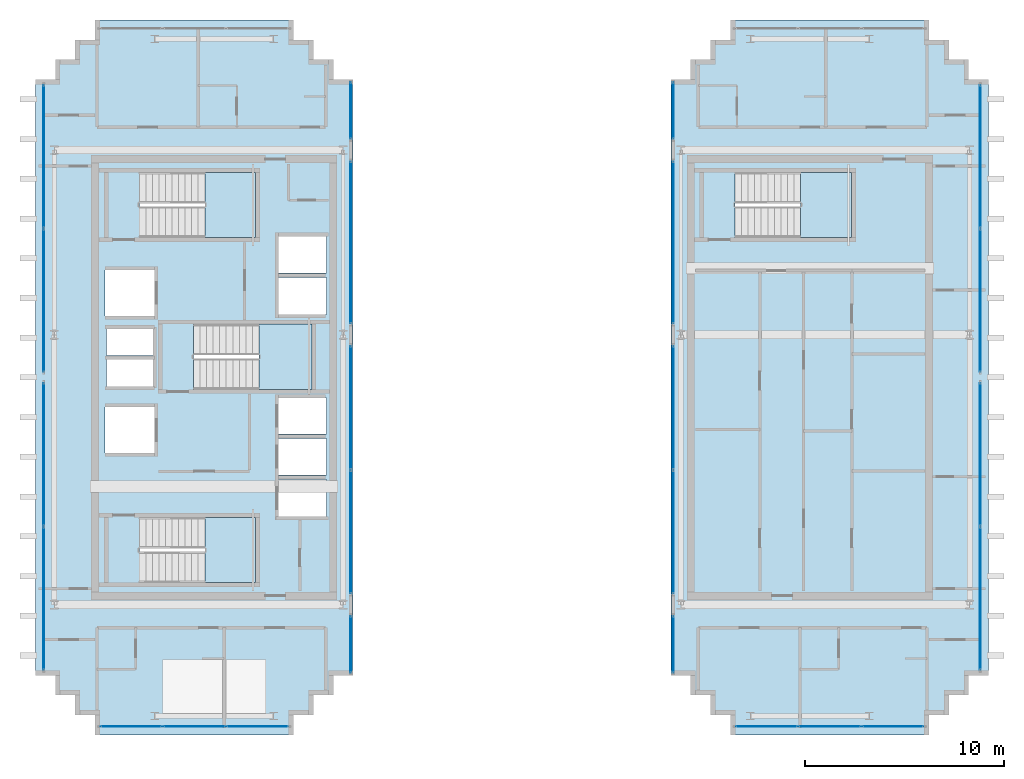
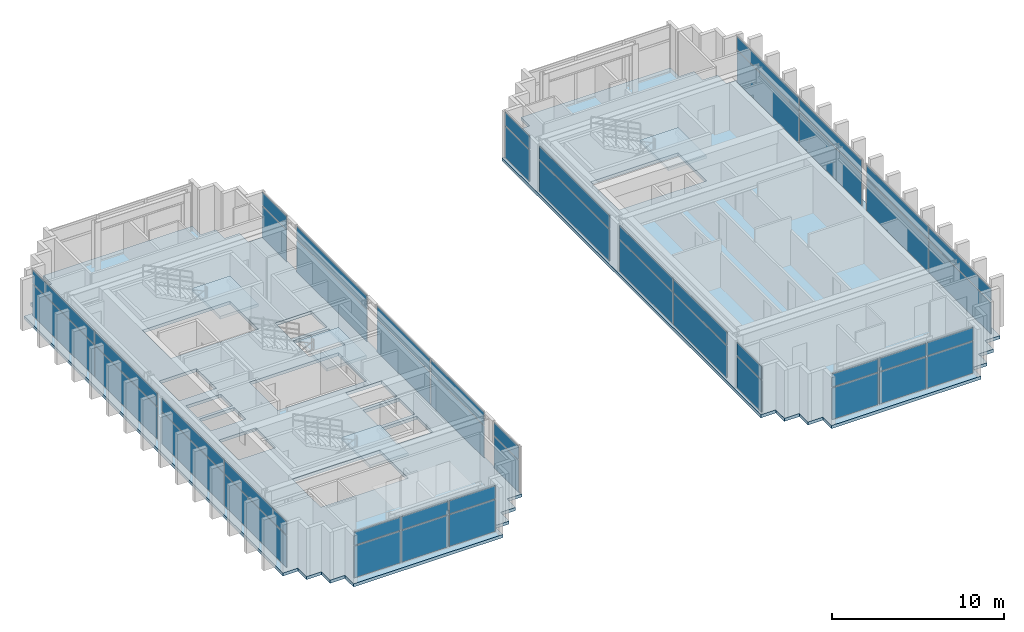
# One storey, part 18 of 25: 48 plates, 6 slabs, 18 elements without a shape of their own.
"""IFC4 building model written with IfcOpenShell, lengths in metres."""

import ifcopenshell
import ifcopenshell.guid

model = None  # the IFC model being written
_history = None  # IfcOwnerHistory: only IFC2X3 demands one
_inside = {}  # id of a spatial element -> (the spatial element, [elements in it])
_under = {}  # id of a project, library or spatial element -> (it, [spatial elements below it])
_declared = {}  # id of a project -> (the project, [libraries it declares])
_typed = {}  # id of a type object -> (the type object, [elements of that type])
_made_of = {}  # id of a material, layer set ... -> (it, [elements and type objects made of it])


def new_model(schema):
    """Start an empty IFC model of exactly this schema.

    Asked for "IFC4X3", IfcOpenShell would pick the latest addendum, in which some entities
    have other attributes; the version numbers below select the first issue.
    IFC2X3 requires an IfcOwnerHistory on every rooted entity: one is made here for all.
    """
    global model, _history
    if schema == "IFC4X3":
        model = ifcopenshell.file(schema_version=(4, 3, 0, 0))
    else:
        model = ifcopenshell.file(schema=schema)
    _inside.clear()
    _under.clear()
    _declared.clear()
    _typed.clear()
    _made_of.clear()
    _history = None
    if model.schema == "IFC2X3":
        org = make("IfcOrganization", Name="unknown")
        user = make(
            "IfcPersonAndOrganization",
            ThePerson=make("IfcPerson", FamilyName="unknown"),
            TheOrganization=org,
        )
        app = make(
            "IfcApplication",
            ApplicationDeveloper=org,
            Version="unknown",
            ApplicationFullName="unknown",
            ApplicationIdentifier="unknown",
        )
        _history = make(
            "IfcOwnerHistory",
            OwningUser=user,
            OwningApplication=app,
            ChangeAction="ADDED",
            CreationDate=0,
        )
    return model


def make(cls, **values):
    """One entity of the class cls with the attributes given. An attribute that is None is left unset."""
    return model.create_entity(
        cls, **{name: value for name, value in values.items() if value is not None}
    )


def rooted(cls, **values):
    """An entity with a GlobalId (a new one), such as an element, a storey or a relation."""
    return make(cls, GlobalId=ifcopenshell.guid.new(), OwnerHistory=_history, **values)


def si_unit(unit_type, name, prefix=None):
    """IfcSIUnit, for example si_unit("LENGTHUNIT", "METRE", prefix="MILLI")."""
    return make("IfcSIUnit", UnitType=unit_type, Prefix=prefix, Name=name)


def assignment(units):
    """IfcUnitAssignment: the units of a project."""
    return None if units is None else make("IfcUnitAssignment", Units=units)


def point(xyz):
    """IfcCartesianPoint."""
    return None if xyz is None else make("IfcCartesianPoint", Coordinates=xyz)


def direction(xyz):
    """IfcDirection."""
    return None if xyz is None else make("IfcDirection", DirectionRatios=xyz)


def frame(location, z_axis=None, x_axis=None):
    """IfcAxis2Placement3D, a coordinate frame: its origin and axes. An axis left out is left unset."""
    return make(
        "IfcAxis2Placement3D",
        Location=point(location),
        Axis=direction(z_axis),
        RefDirection=direction(x_axis),
    )


def frame_2d(location, x_axis=None):
    """IfcAxis2Placement2D, a coordinate frame in the plane: its origin and x axis."""
    return make(
        "IfcAxis2Placement2D", Location=point(location), RefDirection=direction(x_axis)
    )


def origin():
    """The frame at (0, 0, 0) with its axes left unset."""
    return frame((0.0, 0.0, 0.0))


def origin_2d():
    """The frame at (0, 0) in the plane with its x axis left unset."""
    return frame_2d((0.0, 0.0))


def place(relative_to, where):
    """IfcLocalPlacement: puts the frame where relative to a parent placement (None: the world)."""
    return make(
        "IfcLocalPlacement", PlacementRelTo=relative_to, RelativePlacement=where
    )


def context(
    kind, dimensions, precision=None, world=None, true_north=None, identifier=None
):
    """IfcGeometricRepresentationContext, for example the 3D "Model" context."""
    return make(
        "IfcGeometricRepresentationContext",
        ContextIdentifier=identifier,
        ContextType=kind,
        CoordinateSpaceDimension=dimensions,
        Precision=precision,
        WorldCoordinateSystem=world,
        TrueNorth=true_north,
    )


def subcontext(parent, identifier, kind, view, scale=None):
    """IfcGeometricRepresentationSubContext, for example "Body" below "Model"."""
    return make(
        "IfcGeometricRepresentationSubContext",
        ContextIdentifier=identifier,
        ContextType=kind,
        ParentContext=parent,
        TargetScale=scale,
        TargetView=view,
    )


def project(units=None, contexts=None):
    """IfcProject with its units and contexts."""
    return rooted(
        "IfcProject",
        Name="project",
        RepresentationContexts=contexts,
        UnitsInContext=assignment(units),
    )


def spatial(cls, under=None, at=None, **own):
    """A site, building, storey or space (cls), placed at a placement, below another one or the project."""
    s = rooted(cls, ObjectPlacement=at, **own)
    if under is not None:
        _under.setdefault(under.id(), (under, []))[1].append(s)
    return s


def polyline(points):
    """IfcPolyline through the points."""
    return make("IfcPolyline", Points=[point(p) for p in points])


def profile(cls, at=None, kind="AREA", **sizes):
    """A parametric profile (cls). Its sizes go by their IFC names, for example OverallWidth=200.0."""
    return make(cls, ProfileType=kind, Position=at, **sizes)


def rectangle(**sizes):
    """IfcRectangleProfileDef."""
    return profile("IfcRectangleProfileDef", **sizes)


def outline(outer, holes=None, kind="AREA"):
    """IfcArbitraryClosedProfileDef: a profile drawn as a closed curve; with holes, ...WithVoids."""
    if holes is None:
        return make("IfcArbitraryClosedProfileDef", ProfileType=kind, OuterCurve=outer)
    return make(
        "IfcArbitraryProfileDefWithVoids",
        ProfileType=kind,
        OuterCurve=outer,
        InnerCurves=holes,
    )


def extrude(swept, where, along, depth):
    """IfcExtrudedAreaSolid: the profile swept, set in the frame where, extruded along a direction by depth."""
    return make(
        "IfcExtrudedAreaSolid",
        SweptArea=swept,
        Position=where,
        ExtrudedDirection=direction(along),
        Depth=depth,
    )


def shape(context_of_items, identifier, shape_type, items):
    """IfcShapeRepresentation: the items that make up one representation, for example the "Body"."""
    return make(
        "IfcShapeRepresentation",
        ContextOfItems=context_of_items,
        RepresentationIdentifier=identifier,
        RepresentationType=shape_type,
        Items=items,
    )


def source(mapping_origin, context_of_items, identifier, shape_type, items):
    """IfcRepresentationMap: a shape defined once, which mapped items show again and again."""
    return make(
        "IfcRepresentationMap",
        MappingOrigin=mapping_origin,
        MappedRepresentation=shape(context_of_items, identifier, shape_type, items),
    )


def transform(
    local_origin,
    x_axis=None,
    y_axis=None,
    z_axis=None,
    scale=None,
    scale2=None,
    scale3=None,
    uniform=True,
):
    """IfcCartesianTransformationOperator3D, or its non-uniform kind. x_axis, y_axis, z_axis: its Axis1, 2, 3."""
    if uniform:
        return make(
            "IfcCartesianTransformationOperator3D",
            Axis1=direction(x_axis),
            Axis2=direction(y_axis),
            LocalOrigin=point(local_origin),
            Scale=scale,
            Axis3=direction(z_axis),
        )
    return make(
        "IfcCartesianTransformationOperator3DnonUniform",
        Axis1=direction(x_axis),
        Axis2=direction(y_axis),
        LocalOrigin=point(local_origin),
        Scale=scale,
        Axis3=direction(z_axis),
        Scale2=scale2,
        Scale3=scale3,
    )


def mapped(mapping_source, mapping_target):
    """IfcMappedItem: shows the shape of a source again, moved by a transform."""
    return make(
        "IfcMappedItem", MappingSource=mapping_source, MappingTarget=mapping_target
    )


def material(Name=None, Category=None):
    """IfcMaterial."""
    return make("IfcMaterial", Name=Name, Category=Category)


def layer(
    of_material, thickness, ventilated=None, Name=None, Category=None, Priority=None
):
    """IfcMaterialLayer: one layer of a wall or slab, of a material (None: an air gap)."""
    return make(
        "IfcMaterialLayer",
        Material=of_material,
        LayerThickness=thickness,
        IsVentilated=ventilated,
        Name=Name,
        Category=Category,
        Priority=Priority,
    )


def layer_set(layers, Name=None):
    """IfcMaterialLayerSet."""
    return make("IfcMaterialLayerSet", MaterialLayers=layers, LayerSetName=Name)


def made_of(thing, what):
    """Note that an element or type object is made of a material, layer set ...; save() writes the relation."""
    if what is not None:
        _made_of.setdefault(what.id(), (what, []))[1].append(thing)
    return thing


def type_object(cls, material=None, **own):
    """A type object (cls), such as IfcWallType, which elements share."""
    return made_of(rooted(cls, **own), material)


def element(
    cls,
    number,
    at=None,
    inside=None,
    cuts=None,
    type_object=None,
    material=None,
    context=None,
    identifier="Body",
    shape_type=None,
    held_by="IfcProductDefinitionShape",
    body=None,
    shapes=None,
    **own,
):
    """One element of the class cls, such as IfcWall. Its Tag is "e" and its number.

    at: its placement. inside: the storey or other place that contains it. cuts: it is an
    opening in that element (IfcRelVoidsElement). A single representation is given by context,
    identifier, shape_type and body (its items); several are given by shapes. held_by: the class
    of the entity that holds the representations. save() writes the other relations.
    """
    e = rooted(cls, Tag="e%d" % number, ObjectPlacement=at, **own)
    if body is not None:
        shapes = [shape(context, identifier, shape_type, body)]
    if shapes is not None:
        e.Representation = make(held_by, Representations=shapes)
    if inside is not None:
        _inside.setdefault(inside.id(), (inside, []))[1].append(e)
    if cuts is not None:
        rooted(
            "IfcRelVoidsElement", RelatingBuildingElement=cuts, RelatedOpeningElement=e
        )
    if type_object is not None:
        _typed.setdefault(type_object.id(), (type_object, []))[1].append(e)
    return made_of(e, material)


def aggregate(whole, parts):
    """IfcRelAggregates: a whole, such as a stair, and the parts it consists of."""
    return rooted("IfcRelAggregates", RelatingObject=whole, RelatedObjects=parts)


def save(model, path):
    """Write the relations noted so far, then the file.

    IfcRelAggregates (storeys below a building ...), IfcRelContainedInSpatialStructure (elements
    in a storey), IfcRelDefinesByType, IfcRelAssociatesMaterial and IfcRelDeclares: one each for
    every whole, place, type object, material and project.
    """
    for whole, parts in _under.values():
        aggregate(whole, parts)
    for where, things in _inside.values():
        rooted(
            "IfcRelContainedInSpatialStructure",
            RelatedElements=things,
            RelatingStructure=where,
        )
    for kind, things in _typed.values():
        rooted("IfcRelDefinesByType", RelatedObjects=things, RelatingType=kind)
    for what, things in _made_of.values():
        rooted("IfcRelAssociatesMaterial", RelatedObjects=things, RelatingMaterial=what)
    for by, libraries in _declared.values():
        rooted("IfcRelDeclares", RelatingContext=by, RelatedDefinitions=libraries)
    model.write(path)


model = new_model("IFC4")

# Units and contexts
model_context = context("Model", 3, precision=1e-05, world=origin(), true_north=direction((0.0, 1.0)))
body_context = subcontext(model_context, "Body", "Model", "MODEL_VIEW")
ifc_project = project(units=[si_unit("LENGTHUNIT", "METRE"), si_unit("AREAUNIT", "SQUARE_METRE"), si_unit("VOLUMEUNIT", "CUBIC_METRE"), si_unit("PLANEANGLEUNIT", "RADIAN"), si_unit("MASSUNIT", "GRAM", prefix="KILO")], contexts=[model_context])

# Site, building, storey
site_placement = place(None, origin())
site = spatial("IfcSite", under=ifc_project, at=site_placement, CompositionType="ELEMENT")
building_placement = place(site_placement, origin())
building = spatial("IfcBuilding", under=site, at=building_placement, Name="Ocotamira Hotel", CompositionType="ELEMENT")
storey_placement = place(building_placement, frame((0.0, 0.0, 261.60009765625)))
storey = spatial("IfcBuildingStorey", under=building, at=storey_placement, Name="L66", CompositionType="ELEMENT", Elevation=261.60009765625)

# Stair, slab
ifc_material_1 = material(Name="Concrete C40/50", Category="concrete")
stair_type = type_object("IfcStairType", Name="ST-CORE-1560", PredefinedType="HALF_TURN_STAIR", material=ifc_material_1)
stair_1_placement = place(storey_placement, origin())
stair_1 = element("IfcStair", 1, at=stair_1_placement, inside=storey, type_object=stair_type, Name="L66 Exit Stair ST-1", PredefinedType="HALF_TURN_STAIR")
ifc_layer_1 = layer(ifc_material_1, 0.199951171875)
ifc_layer_set_1 = layer_set([ifc_layer_1], Name="Concrete C40/50")
slab_type_1 = type_object("IfcSlabType", Name="SLB-LAND-200", PredefinedType="LANDING", material=ifc_layer_set_1)
slab_1_placement = place(storey_placement, frame((0.0, 0.0, 1.599853515625)))
slab_1 = element("IfcSlab", 2, at=slab_1_placement, type_object=slab_type_1, Name="ST-1 landing 1", PredefinedType="LANDING", context=body_context, shape_type="SweptSolid", body=[
    extrude(outline(polyline([(16.530029296875, 15.669921875), (19.090087890625, 15.669921875), (19.090087890625, 18.949951171875), (16.530029296875, 18.949951171875), (16.530029296875, 15.669921875)])), origin(), (0.0, 0.0, 1.0), 0.199951171875),
])
aggregate(stair_1, [slab_1])

stair_2_placement = place(storey_placement, origin())
stair_2 = element("IfcStair", 3, at=stair_2_placement, inside=storey, type_object=stair_type, Name="L66 Exit Stair ST-2", PredefinedType="HALF_TURN_STAIR")
slab_2_placement = place(storey_placement, frame((0.0, 0.0, 1.599853515625)))
slab_2 = element("IfcSlab", 4, at=slab_2_placement, type_object=slab_type_1, Name="ST-2 landing 1", PredefinedType="LANDING", context=body_context, shape_type="SweptSolid", body=[
    extrude(outline(polyline([(16.530029296875, 33.050048828125), (19.090087890625, 33.050048828125), (19.090087890625, 36.330078125), (16.530029296875, 36.330078125), (16.530029296875, 33.050048828125)])), origin(), (0.0, 0.0, 1.0), 0.199951171875),
])
aggregate(stair_2, [slab_2])

stair_3_placement = place(storey_placement, origin())
stair_3 = element("IfcStair", 5, at=stair_3_placement, inside=storey, type_object=stair_type, Name="L66 Exit Stair ST-3", PredefinedType="HALF_TURN_STAIR")
slab_3_placement = place(storey_placement, frame((0.0, 0.0, 1.599853515625)))
slab_3 = element("IfcSlab", 6, at=slab_3_placement, type_object=slab_type_1, Name="ST-3 landing 1", PredefinedType="LANDING", context=body_context, shape_type="SweptSolid", body=[
    extrude(outline(polyline([(19.260009765625, 25.39990234375), (21.919921875, 25.39990234375), (21.919921875, 28.679931640625), (19.260009765625, 28.679931640625), (19.260009765625, 25.39990234375)])), origin(), (0.0, 0.0, 1.0), 0.199951171875),
])
aggregate(stair_3, [slab_3])

stair_4_placement = place(storey_placement, origin())
stair_4 = element("IfcStair", 7, at=stair_4_placement, inside=storey, type_object=stair_type, Name="L66 Exit Stair ST-4", PredefinedType="HALF_TURN_STAIR")
slab_4_placement = place(storey_placement, frame((0.0, 0.0, 1.599853515625)))
slab_4 = element("IfcSlab", 8, at=slab_4_placement, type_object=slab_type_1, Name="ST-4 landing 1", PredefinedType="LANDING", context=body_context, shape_type="SweptSolid", body=[
    extrude(outline(polyline([(46.530029296875, 33.050048828125), (49.090087890625, 33.050048828125), (49.090087890625, 36.330078125), (46.530029296875, 36.330078125), (46.530029296875, 33.050048828125)])), origin(), (0.0, 0.0, 1.0), 0.199951171875),
])
aggregate(stair_4, [slab_4])

# Slabs
ifc_layer_2 = layer(ifc_material_1, 0.219970703125)
ifc_layer_set_2 = layer_set([ifc_layer_2], Name="Concrete C40/50")
slab_type_2 = type_object("IfcSlabType", Name="SLB-UPP-220", PredefinedType="FLOOR", material=ifc_layer_set_2)
slab_5_placement = place(storey_placement, frame((0.0, 0.0, -0.22021484375)))
element("IfcSlab", 9, at=slab_5_placement, inside=storey, type_object=slab_type_2, Name="L66 Structural Floor Slab-P1", PredefinedType="FLOOR", context=body_context, shape_type="SweptSolid", body=[
    extrude(outline(polyline([(11.0, 8.0), (21.0, 8.0), (21.0, 9.0), (22.0, 9.0), (22.0, 10.0), (23.0, 10.0), (23.0, 11.0), (24.0, 11.0), (24.0, 41.0), (23.0, 41.0), (23.0, 42.0), (22.0, 42.0), (22.0, 43.0), (21.0, 43.0), (21.0, 44.0), (11.0, 44.0), (11.0, 43.0), (10.0, 43.0), (10.0, 42.0), (9.0, 42.0), (9.0, 41.0), (8.0, 41.0), (8.0, 11.0), (9.0, 11.0), (9.0, 10.0), (10.0, 10.0), (10.0, 9.0), (11.0, 9.0), (11.0, 8.0)]), holes=[polyline([(13.22998046875, 15.669921875), (19.090087890625, 15.669921875), (19.090087890625, 18.949951171875), (13.22998046875, 18.949951171875), (13.22998046875, 15.669921875)]), polyline([(13.22998046875, 33.050048828125), (19.090087890625, 33.050048828125), (19.090087890625, 36.330078125), (13.22998046875, 36.330078125), (13.22998046875, 33.050048828125)]), polyline([(15.9599609375, 25.39990234375), (21.919921875, 25.39990234375), (21.919921875, 28.679931640625), (15.9599609375, 28.679931640625), (15.9599609375, 25.39990234375)]), polyline([(20.25, 19.0), (22.659912109375, 19.0), (22.659912109375, 20.85009765625), (20.25, 20.85009765625), (20.25, 19.0)]), polyline([(20.25, 21.080078125), (22.659912109375, 21.080078125), (22.659912109375, 22.929931640625), (20.25, 22.929931640625), (20.25, 21.080078125)]), polyline([(20.25, 23.159912109375), (22.659912109375, 23.159912109375), (22.659912109375, 24.9599609375), (20.25, 24.9599609375), (20.25, 23.159912109375)]), polyline([(20.25, 29.179931640625), (22.659912109375, 29.179931640625), (22.659912109375, 31.030029296875), (20.25, 31.030029296875), (20.25, 29.179931640625)]), polyline([(20.25, 31.260009765625), (22.659912109375, 31.260009765625), (22.659912109375, 33.110107421875), (20.25, 33.110107421875), (20.25, 31.260009765625)]), polyline([(11.5, 22.199951171875), (14.0, 22.199951171875), (14.0, 24.5), (11.5, 24.5), (11.5, 22.199951171875)]), polyline([(11.5, 29.10009765625), (14.0, 29.10009765625), (14.0, 31.39990234375), (11.5, 31.39990234375), (11.5, 29.10009765625)]), polyline([(11.580078125, 25.550048828125), (13.919921875, 25.550048828125), (13.919921875, 26.89990234375), (11.580078125, 26.89990234375), (11.580078125, 25.550048828125)]), polyline([(11.580078125, 27.10009765625), (13.919921875, 27.10009765625), (13.919921875, 28.449951171875), (11.580078125, 28.449951171875), (11.580078125, 27.10009765625)])]), origin(), (0.0, 0.0, 1.0), 0.22021484375),
])
slab_6_placement = place(storey_placement, frame((0.0, 0.0, -0.22021484375)))
element("IfcSlab", 10, at=slab_6_placement, inside=storey, type_object=slab_type_2, Name="L66 Structural Floor Slab-P2", PredefinedType="FLOOR", context=body_context, shape_type="SweptSolid", body=[
    extrude(outline(polyline([(43.0, 8.0), (53.0, 8.0), (53.0, 9.0), (54.0, 9.0), (54.0, 10.0), (55.0, 10.0), (55.0, 11.0), (56.0, 11.0), (56.0, 41.0), (55.0, 41.0), (55.0, 42.0), (54.0, 42.0), (54.0, 43.0), (53.0, 43.0), (53.0, 44.0), (43.0, 44.0), (43.0, 43.0), (42.0, 43.0), (42.0, 42.0), (41.0, 42.0), (41.0, 41.0), (40.0, 41.0), (40.0, 11.0), (41.0, 11.0), (41.0, 10.0), (42.0, 10.0), (42.0, 9.0), (43.0, 9.0), (43.0, 8.0)]), holes=[polyline([(43.22998046875, 33.050048828125), (49.090087890625, 33.050048828125), (49.090087890625, 36.330078125), (43.22998046875, 36.330078125), (43.22998046875, 33.050048828125)])]), origin(), (0.0, 0.0, 1.0), 0.22021484375),
])

# Curtain wall, plates
ifc_material_2 = material(Name="Anodised pale-metal aluminium and solar glass", Category="aluminium")
ifc_layer_3 = layer(ifc_material_2, 0.2099609375)
ifc_layer_set_3 = layer_set([ifc_layer_3], Name="Anodised pale-metal aluminium and solar glass")
curtain_wall_type = type_object("IfcCurtainWallType", Name="CW-SYS7-PEAK", PredefinedType="NOTDEFINED", material=ifc_layer_set_3)
curtain_wall_1_placement = place(storey_placement, origin())
curtain_wall_1 = element("IfcCurtainWall", 11, at=curtain_wall_1_placement, inside=storey, type_object=curtain_wall_type, Name="L66 Curtain Wall CW-7 CW-L66-WS", PredefinedType="NOTDEFINED")
ifc_material_3 = material(Name="Double-silver low-E insulated solar glass", Category="glass")
ifc_layer_4 = layer(ifc_material_3, 0.031982421875)
ifc_layer_set_4 = layer_set([ifc_layer_4], Name="Double-silver low-E insulated solar glass")
plate_type = type_object("IfcPlateType", Name="CWP-VISION-32", PredefinedType="CURTAIN_PANEL", material=ifc_layer_set_4)
shared_shape_1 = source(origin(), body_context, "Body", "SweptSolid", [
    extrude(rectangle(XDim=3.080078125, YDim=0.031982421875, at=origin_2d()), origin(), (0.0, 0.0, 1.0), 2.237548828125),
])
plate_1_placement = place(storey_placement, frame((12.820068359375, 8.419921875, 0.07470703125), z_axis=(0.0, 0.0, 1.0), x_axis=(1.0, 0.0, 0.0)))
plate_1 = element("IfcPlate", 12, at=plate_1_placement, type_object=plate_type, Name="CW-7 panel 1.1", PredefinedType="CURTAIN_PANEL", context=body_context, shape_type="MappedRepresentation", body=[
    mapped(shared_shape_1, transform((0.0, 0.0, 0.0), scale=1.0)),
])
plate_2_placement = place(storey_placement, frame((19.179931640625, 8.419921875, 0.07470703125), z_axis=(0.0, 0.0, 1.0), x_axis=(1.0, 0.0, 0.0)))
plate_2 = element("IfcPlate", 13, at=plate_2_placement, type_object=plate_type, Name="CW-7 panel 3.1", PredefinedType="CURTAIN_PANEL", context=body_context, shape_type="MappedRepresentation", body=[
    mapped(shared_shape_1, transform((0.0, 0.0, 0.0), scale=1.0)),
])

curtain_wall_2_placement = place(storey_placement, origin())
curtain_wall_2 = element("IfcCurtainWall", 14, at=curtain_wall_2_placement, inside=storey, type_object=curtain_wall_type, Name="L66 Curtain Wall CW-7 CW-L66-ES", PredefinedType="NOTDEFINED")
plate_3_placement = place(storey_placement, frame((44.820068359375, 8.419921875, 0.07470703125), z_axis=(0.0, 0.0, 1.0), x_axis=(1.0, 0.0, 0.0)))
plate_3 = element("IfcPlate", 15, at=plate_3_placement, type_object=plate_type, Name="CW-7 panel 1.1", PredefinedType="CURTAIN_PANEL", context=body_context, shape_type="MappedRepresentation", body=[
    mapped(shared_shape_1, transform((0.0, 0.0, 0.0), scale=1.0)),
])
plate_4_placement = place(storey_placement, frame((51.179931640625, 8.419921875, 0.07470703125), z_axis=(0.0, 0.0, 1.0), x_axis=(1.0, 0.0, 0.0)))
plate_4 = element("IfcPlate", 16, at=plate_4_placement, type_object=plate_type, Name="CW-7 panel 3.1", PredefinedType="CURTAIN_PANEL", context=body_context, shape_type="MappedRepresentation", body=[
    mapped(shared_shape_1, transform((0.0, 0.0, 0.0), scale=1.0)),
])

# Plate
shared_shape_2 = source(origin(), body_context, "Body", "SweptSolid", [
    extrude(rectangle(XDim=3.080078125, YDim=0.031982421875, at=origin_2d()), origin(), (0.0, 0.0, 1.0), 0.91748046875),
])
plate_5_placement = place(storey_placement, frame((12.820068359375, 8.419921875, 2.387451171875), z_axis=(0.0, 0.0, 1.0), x_axis=(1.0, 0.0, 0.0)))
plate_5 = element("IfcPlate", 17, at=plate_5_placement, type_object=plate_type, Name="CW-7 panel 1.2", PredefinedType="CURTAIN_PANEL", context=body_context, shape_type="MappedRepresentation", body=[
    mapped(shared_shape_2, transform((0.0, 0.0, 0.0), scale=1.0)),
])

plate_6_placement = place(storey_placement, frame((19.179931640625, 8.419921875, 2.387451171875), z_axis=(0.0, 0.0, 1.0), x_axis=(1.0, 0.0, 0.0)))
plate_6 = element("IfcPlate", 18, at=plate_6_placement, type_object=plate_type, Name="CW-7 panel 3.2", PredefinedType="CURTAIN_PANEL", context=body_context, shape_type="MappedRepresentation", body=[
    mapped(shared_shape_2, transform((0.0, 0.0, 0.0), scale=1.0)),
])

plate_7_placement = place(storey_placement, frame((44.820068359375, 8.419921875, 2.387451171875), z_axis=(0.0, 0.0, 1.0), x_axis=(1.0, 0.0, 0.0)))
plate_7 = element("IfcPlate", 19, at=plate_7_placement, type_object=plate_type, Name="CW-7 panel 1.2", PredefinedType="CURTAIN_PANEL", context=body_context, shape_type="MappedRepresentation", body=[
    mapped(shared_shape_2, transform((0.0, 0.0, 0.0), scale=1.0)),
])

plate_8_placement = place(storey_placement, frame((51.179931640625, 8.419921875, 2.387451171875), z_axis=(0.0, 0.0, 1.0), x_axis=(1.0, 0.0, 0.0)))
plate_8 = element("IfcPlate", 20, at=plate_8_placement, type_object=plate_type, Name="CW-7 panel 3.2", PredefinedType="CURTAIN_PANEL", context=body_context, shape_type="MappedRepresentation", body=[
    mapped(shared_shape_2, transform((0.0, 0.0, 0.0), scale=1.0)),
])

shared_shape_3 = source(origin(), body_context, "Body", "SweptSolid", [
    extrude(rectangle(XDim=3.1201171875, YDim=0.031982421875, at=origin_2d()), origin(), (0.0, 0.0, 1.0), 2.237548828125),
])
plate_9_placement = place(storey_placement, frame((16.0, 8.419921875, 0.07470703125), z_axis=(0.0, 0.0, 1.0), x_axis=(1.0, 0.0, 0.0)))
plate_9 = element("IfcPlate", 21, at=plate_9_placement, type_object=plate_type, Name="CW-7 panel 2.1", PredefinedType="CURTAIN_PANEL", context=body_context, shape_type="MappedRepresentation", body=[
    mapped(shared_shape_3, transform((0.0, 0.0, 0.0), scale=1.0)),
])

plate_10_placement = place(storey_placement, frame((48.0, 8.419921875, 0.07470703125), z_axis=(0.0, 0.0, 1.0), x_axis=(1.0, 0.0, 0.0)))
plate_10 = element("IfcPlate", 22, at=plate_10_placement, type_object=plate_type, Name="CW-7 panel 2.1", PredefinedType="CURTAIN_PANEL", context=body_context, shape_type="MappedRepresentation", body=[
    mapped(shared_shape_3, transform((0.0, 0.0, 0.0), scale=1.0)),
])

shared_shape_4 = source(origin(), body_context, "Body", "SweptSolid", [
    extrude(rectangle(XDim=3.1201171875, YDim=0.031982421875, at=origin_2d()), origin(), (0.0, 0.0, 1.0), 0.91748046875),
])
plate_11_placement = place(storey_placement, frame((16.0, 8.419921875, 2.387451171875), z_axis=(0.0, 0.0, 1.0), x_axis=(1.0, 0.0, 0.0)))
plate_11 = element("IfcPlate", 23, at=plate_11_placement, type_object=plate_type, Name="CW-7 panel 2.2", PredefinedType="CURTAIN_PANEL", context=body_context, shape_type="MappedRepresentation", body=[
    mapped(shared_shape_4, transform((0.0, 0.0, 0.0), scale=1.0)),
])

aggregate(curtain_wall_1, [plate_1, plate_5, plate_9, plate_11, plate_2, plate_6])

plate_12_placement = place(storey_placement, frame((48.0, 8.419921875, 2.387451171875), z_axis=(0.0, 0.0, 1.0), x_axis=(1.0, 0.0, 0.0)))
plate_12 = element("IfcPlate", 24, at=plate_12_placement, type_object=plate_type, Name="CW-7 panel 2.2", PredefinedType="CURTAIN_PANEL", context=body_context, shape_type="MappedRepresentation", body=[
    mapped(shared_shape_4, transform((0.0, 0.0, 0.0), scale=1.0)),
])

aggregate(curtain_wall_2, [plate_3, plate_7, plate_10, plate_12, plate_4, plate_8])

# Curtain wall, plates
curtain_wall_3_placement = place(storey_placement, origin())
curtain_wall_3 = element("IfcCurtainWall", 25, at=curtain_wall_3_placement, inside=storey, type_object=curtain_wall_type, Name="L66 Curtain Wall CW-7 CW-L66-WO1", PredefinedType="NOTDEFINED")
shared_shape_5 = source(origin(), body_context, "Body", "SweptSolid", [
    extrude(rectangle(XDim=7.179931640625, YDim=0.031982421875, at=origin_2d()), origin(), (0.0, 0.0, 1.0), 2.237548828125),
])
plate_13_placement = place(storey_placement, frame((8.419921875, 14.8701171875, 0.07470703125), z_axis=(0.0, 0.0, 1.0), x_axis=(0.0, 1.0, 0.0)))
plate_13 = element("IfcPlate", 26, at=plate_13_placement, type_object=plate_type, Name="CW-7 panel 1.1", PredefinedType="CURTAIN_PANEL", context=body_context, shape_type="MappedRepresentation", body=[
    mapped(shared_shape_5, transform((0.0, 0.0, 0.0), scale=1.0)),
])
plate_14_placement = place(storey_placement, frame((8.419921875, 22.1298828125, 0.07470703125), z_axis=(0.0, 0.0, 1.0), x_axis=(0.0, 1.0, 0.0)))
plate_14 = element("IfcPlate", 27, at=plate_14_placement, type_object=plate_type, Name="CW-7 panel 2.1", PredefinedType="CURTAIN_PANEL", context=body_context, shape_type="MappedRepresentation", body=[
    mapped(shared_shape_5, transform((0.0, 0.0, 0.0), scale=1.0)),
])

curtain_wall_4_placement = place(storey_placement, origin())
curtain_wall_4 = element("IfcCurtainWall", 28, at=curtain_wall_4_placement, inside=storey, type_object=curtain_wall_type, Name="L66 Curtain Wall CW-7 CW-L66-WO2", PredefinedType="NOTDEFINED")
plate_15_placement = place(storey_placement, frame((8.419921875, 29.8701171875, 0.07470703125), z_axis=(0.0, 0.0, 1.0), x_axis=(0.0, 1.0, 0.0)))
plate_15 = element("IfcPlate", 29, at=plate_15_placement, type_object=plate_type, Name="CW-7 panel 1.1", PredefinedType="CURTAIN_PANEL", context=body_context, shape_type="MappedRepresentation", body=[
    mapped(shared_shape_5, transform((0.0, 0.0, 0.0), scale=1.0)),
])
plate_16_placement = place(storey_placement, frame((8.419921875, 37.1298828125, 0.07470703125), z_axis=(0.0, 0.0, 1.0), x_axis=(0.0, 1.0, 0.0)))
plate_16 = element("IfcPlate", 30, at=plate_16_placement, type_object=plate_type, Name="CW-7 panel 2.1", PredefinedType="CURTAIN_PANEL", context=body_context, shape_type="MappedRepresentation", body=[
    mapped(shared_shape_5, transform((0.0, 0.0, 0.0), scale=1.0)),
])

curtain_wall_5_placement = place(storey_placement, origin())
curtain_wall_5 = element("IfcCurtainWall", 31, at=curtain_wall_5_placement, inside=storey, type_object=curtain_wall_type, Name="L66 Curtain Wall CW-7 CW-L66-EO1", PredefinedType="NOTDEFINED")
plate_17_placement = place(storey_placement, frame((55.580078125, 14.8701171875, 0.07470703125), z_axis=(0.0, 0.0, 1.0), x_axis=(0.0, 1.0, 0.0)))
plate_17 = element("IfcPlate", 32, at=plate_17_placement, type_object=plate_type, Name="CW-7 panel 1.1", PredefinedType="CURTAIN_PANEL", context=body_context, shape_type="MappedRepresentation", body=[
    mapped(shared_shape_5, transform((0.0, 0.0, 0.0), scale=1.0)),
])
plate_18_placement = place(storey_placement, frame((55.580078125, 22.1298828125, 0.07470703125), z_axis=(0.0, 0.0, 1.0), x_axis=(0.0, 1.0, 0.0)))
plate_18 = element("IfcPlate", 33, at=plate_18_placement, type_object=plate_type, Name="CW-7 panel 2.1", PredefinedType="CURTAIN_PANEL", context=body_context, shape_type="MappedRepresentation", body=[
    mapped(shared_shape_5, transform((0.0, 0.0, 0.0), scale=1.0)),
])

curtain_wall_6_placement = place(storey_placement, origin())
curtain_wall_6 = element("IfcCurtainWall", 34, at=curtain_wall_6_placement, inside=storey, type_object=curtain_wall_type, Name="L66 Curtain Wall CW-7 CW-L66-EO2", PredefinedType="NOTDEFINED")
plate_19_placement = place(storey_placement, frame((55.580078125, 29.8701171875, 0.07470703125), z_axis=(0.0, 0.0, 1.0), x_axis=(0.0, 1.0, 0.0)))
plate_19 = element("IfcPlate", 35, at=plate_19_placement, type_object=plate_type, Name="CW-7 panel 1.1", PredefinedType="CURTAIN_PANEL", context=body_context, shape_type="MappedRepresentation", body=[
    mapped(shared_shape_5, transform((0.0, 0.0, 0.0), scale=1.0)),
])
plate_20_placement = place(storey_placement, frame((55.580078125, 37.1298828125, 0.07470703125), z_axis=(0.0, 0.0, 1.0), x_axis=(0.0, 1.0, 0.0)))
plate_20 = element("IfcPlate", 36, at=plate_20_placement, type_object=plate_type, Name="CW-7 panel 2.1", PredefinedType="CURTAIN_PANEL", context=body_context, shape_type="MappedRepresentation", body=[
    mapped(shared_shape_5, transform((0.0, 0.0, 0.0), scale=1.0)),
])

# Plate
shared_shape_6 = source(origin(), body_context, "Body", "SweptSolid", [
    extrude(rectangle(XDim=7.179931640625, YDim=0.031982421875, at=origin_2d()), origin(), (0.0, 0.0, 1.0), 0.91748046875),
])
plate_21_placement = place(storey_placement, frame((8.419921875, 14.8701171875, 2.387451171875), z_axis=(0.0, 0.0, 1.0), x_axis=(0.0, 1.0, 0.0)))
plate_21 = element("IfcPlate", 37, at=plate_21_placement, type_object=plate_type, Name="CW-7 panel 1.2", PredefinedType="CURTAIN_PANEL", context=body_context, shape_type="MappedRepresentation", body=[
    mapped(shared_shape_6, transform((0.0, 0.0, 0.0), scale=1.0)),
])

plate_22_placement = place(storey_placement, frame((8.419921875, 22.1298828125, 2.387451171875), z_axis=(0.0, 0.0, 1.0), x_axis=(0.0, 1.0, 0.0)))
plate_22 = element("IfcPlate", 38, at=plate_22_placement, type_object=plate_type, Name="CW-7 panel 2.2", PredefinedType="CURTAIN_PANEL", context=body_context, shape_type="MappedRepresentation", body=[
    mapped(shared_shape_6, transform((0.0, 0.0, 0.0), scale=1.0)),
])

aggregate(curtain_wall_3, [plate_13, plate_21, plate_14, plate_22])

plate_23_placement = place(storey_placement, frame((8.419921875, 29.8701171875, 2.387451171875), z_axis=(0.0, 0.0, 1.0), x_axis=(0.0, 1.0, 0.0)))
plate_23 = element("IfcPlate", 39, at=plate_23_placement, type_object=plate_type, Name="CW-7 panel 1.2", PredefinedType="CURTAIN_PANEL", context=body_context, shape_type="MappedRepresentation", body=[
    mapped(shared_shape_6, transform((0.0, 0.0, 0.0), scale=1.0)),
])

plate_24_placement = place(storey_placement, frame((8.419921875, 37.1298828125, 2.387451171875), z_axis=(0.0, 0.0, 1.0), x_axis=(0.0, 1.0, 0.0)))
plate_24 = element("IfcPlate", 40, at=plate_24_placement, type_object=plate_type, Name="CW-7 panel 2.2", PredefinedType="CURTAIN_PANEL", context=body_context, shape_type="MappedRepresentation", body=[
    mapped(shared_shape_6, transform((0.0, 0.0, 0.0), scale=1.0)),
])

aggregate(curtain_wall_4, [plate_15, plate_23, plate_16, plate_24])

plate_25_placement = place(storey_placement, frame((55.580078125, 14.8701171875, 2.387451171875), z_axis=(0.0, 0.0, 1.0), x_axis=(0.0, 1.0, 0.0)))
plate_25 = element("IfcPlate", 41, at=plate_25_placement, type_object=plate_type, Name="CW-7 panel 1.2", PredefinedType="CURTAIN_PANEL", context=body_context, shape_type="MappedRepresentation", body=[
    mapped(shared_shape_6, transform((0.0, 0.0, 0.0), scale=1.0)),
])

plate_26_placement = place(storey_placement, frame((55.580078125, 22.1298828125, 2.387451171875), z_axis=(0.0, 0.0, 1.0), x_axis=(0.0, 1.0, 0.0)))
plate_26 = element("IfcPlate", 42, at=plate_26_placement, type_object=plate_type, Name="CW-7 panel 2.2", PredefinedType="CURTAIN_PANEL", context=body_context, shape_type="MappedRepresentation", body=[
    mapped(shared_shape_6, transform((0.0, 0.0, 0.0), scale=1.0)),
])

aggregate(curtain_wall_5, [plate_17, plate_25, plate_18, plate_26])

plate_27_placement = place(storey_placement, frame((55.580078125, 29.8701171875, 2.387451171875), z_axis=(0.0, 0.0, 1.0), x_axis=(0.0, 1.0, 0.0)))
plate_27 = element("IfcPlate", 43, at=plate_27_placement, type_object=plate_type, Name="CW-7 panel 1.2", PredefinedType="CURTAIN_PANEL", context=body_context, shape_type="MappedRepresentation", body=[
    mapped(shared_shape_6, transform((0.0, 0.0, 0.0), scale=1.0)),
])

plate_28_placement = place(storey_placement, frame((55.580078125, 37.1298828125, 2.387451171875), z_axis=(0.0, 0.0, 1.0), x_axis=(0.0, 1.0, 0.0)))
plate_28 = element("IfcPlate", 44, at=plate_28_placement, type_object=plate_type, Name="CW-7 panel 2.2", PredefinedType="CURTAIN_PANEL", context=body_context, shape_type="MappedRepresentation", body=[
    mapped(shared_shape_6, transform((0.0, 0.0, 0.0), scale=1.0)),
])

aggregate(curtain_wall_6, [plate_19, plate_27, plate_20, plate_28])

# Curtain wall, plate
curtain_wall_7_placement = place(storey_placement, origin())
curtain_wall_7 = element("IfcCurtainWall", 45, at=curtain_wall_7_placement, inside=storey, type_object=curtain_wall_type, Name="L66 Curtain Wall CW-7 CW-L66-WI1", PredefinedType="NOTDEFINED")
shared_shape_7 = source(origin(), body_context, "Body", "SweptSolid", [
    extrude(rectangle(XDim=2.840087890625, YDim=0.031982421875, at=origin_2d()), origin(), (0.0, 0.0, 1.0), 2.237548828125),
])
plate_29_placement = place(storey_placement, frame((23.8798828125, 12.550048828125, 0.07470703125), z_axis=(0.0, 0.0, 1.0), x_axis=(0.0, 1.0, 0.0)))
plate_29 = element("IfcPlate", 46, at=plate_29_placement, type_object=plate_type, Name="CW-7 panel 1.1", PredefinedType="CURTAIN_PANEL", context=body_context, shape_type="MappedRepresentation", body=[
    mapped(shared_shape_7, transform((0.0, 0.0, 0.0), scale=1.0)),
])

curtain_wall_8_placement = place(storey_placement, origin())
curtain_wall_8 = element("IfcCurtainWall", 47, at=curtain_wall_8_placement, inside=storey, type_object=curtain_wall_type, Name="L66 Curtain Wall CW-7 CW-L66-WI4", PredefinedType="NOTDEFINED")
plate_30_placement = place(storey_placement, frame((23.8798828125, 39.449951171875, 0.07470703125), z_axis=(0.0, 0.0, 1.0), x_axis=(0.0, 1.0, 0.0)))
plate_30 = element("IfcPlate", 48, at=plate_30_placement, type_object=plate_type, Name="CW-7 panel 1.1", PredefinedType="CURTAIN_PANEL", context=body_context, shape_type="MappedRepresentation", body=[
    mapped(shared_shape_7, transform((0.0, 0.0, 0.0), scale=1.0)),
])

curtain_wall_9_placement = place(storey_placement, origin())
curtain_wall_9 = element("IfcCurtainWall", 49, at=curtain_wall_9_placement, inside=storey, type_object=curtain_wall_type, Name="L66 Curtain Wall CW-7 CW-L66-EI1", PredefinedType="NOTDEFINED")
plate_31_placement = place(storey_placement, frame((40.1201171875, 12.550048828125, 0.07470703125), z_axis=(0.0, 0.0, 1.0), x_axis=(0.0, 1.0, 0.0)))
plate_31 = element("IfcPlate", 50, at=plate_31_placement, type_object=plate_type, Name="CW-7 panel 1.1", PredefinedType="CURTAIN_PANEL", context=body_context, shape_type="MappedRepresentation", body=[
    mapped(shared_shape_7, transform((0.0, 0.0, 0.0), scale=1.0)),
])

curtain_wall_10_placement = place(storey_placement, origin())
curtain_wall_10 = element("IfcCurtainWall", 51, at=curtain_wall_10_placement, inside=storey, type_object=curtain_wall_type, Name="L66 Curtain Wall CW-7 CW-L66-EI4", PredefinedType="NOTDEFINED")
plate_32_placement = place(storey_placement, frame((40.1201171875, 39.449951171875, 0.07470703125), z_axis=(0.0, 0.0, 1.0), x_axis=(0.0, 1.0, 0.0)))
plate_32 = element("IfcPlate", 52, at=plate_32_placement, type_object=plate_type, Name="CW-7 panel 1.1", PredefinedType="CURTAIN_PANEL", context=body_context, shape_type="MappedRepresentation", body=[
    mapped(shared_shape_7, transform((0.0, 0.0, 0.0), scale=1.0)),
])

# Plate
shared_shape_8 = source(origin(), body_context, "Body", "SweptSolid", [
    extrude(rectangle(XDim=2.840087890625, YDim=0.031982421875, at=origin_2d()), origin(), (0.0, 0.0, 1.0), 0.91748046875),
])
plate_33_placement = place(storey_placement, frame((23.8798828125, 12.550048828125, 2.387451171875), z_axis=(0.0, 0.0, 1.0), x_axis=(0.0, 1.0, 0.0)))
plate_33 = element("IfcPlate", 53, at=plate_33_placement, type_object=plate_type, Name="CW-7 panel 1.2", PredefinedType="CURTAIN_PANEL", context=body_context, shape_type="MappedRepresentation", body=[
    mapped(shared_shape_8, transform((0.0, 0.0, 0.0), scale=1.0)),
])

aggregate(curtain_wall_7, [plate_29, plate_33])

plate_34_placement = place(storey_placement, frame((23.8798828125, 39.449951171875, 2.387451171875), z_axis=(0.0, 0.0, 1.0), x_axis=(0.0, 1.0, 0.0)))
plate_34 = element("IfcPlate", 54, at=plate_34_placement, type_object=plate_type, Name="CW-7 panel 1.2", PredefinedType="CURTAIN_PANEL", context=body_context, shape_type="MappedRepresentation", body=[
    mapped(shared_shape_8, transform((0.0, 0.0, 0.0), scale=1.0)),
])

aggregate(curtain_wall_8, [plate_30, plate_34])

plate_35_placement = place(storey_placement, frame((40.1201171875, 12.550048828125, 2.387451171875), z_axis=(0.0, 0.0, 1.0), x_axis=(0.0, 1.0, 0.0)))
plate_35 = element("IfcPlate", 55, at=plate_35_placement, type_object=plate_type, Name="CW-7 panel 1.2", PredefinedType="CURTAIN_PANEL", context=body_context, shape_type="MappedRepresentation", body=[
    mapped(shared_shape_8, transform((0.0, 0.0, 0.0), scale=1.0)),
])

aggregate(curtain_wall_9, [plate_31, plate_35])

plate_36_placement = place(storey_placement, frame((40.1201171875, 39.449951171875, 2.387451171875), z_axis=(0.0, 0.0, 1.0), x_axis=(0.0, 1.0, 0.0)))
plate_36 = element("IfcPlate", 56, at=plate_36_placement, type_object=plate_type, Name="CW-7 panel 1.2", PredefinedType="CURTAIN_PANEL", context=body_context, shape_type="MappedRepresentation", body=[
    mapped(shared_shape_8, transform((0.0, 0.0, 0.0), scale=1.0)),
])

aggregate(curtain_wall_10, [plate_32, plate_36])

# Curtain wall, plates
curtain_wall_11_placement = place(storey_placement, origin())
curtain_wall_11 = element("IfcCurtainWall", 57, at=curtain_wall_11_placement, inside=storey, type_object=curtain_wall_type, Name="L66 Curtain Wall CW-7 CW-L66-WI2", PredefinedType="NOTDEFINED")
shared_shape_9 = source(origin(), body_context, "Body", "SweptSolid", [
    extrude(rectangle(XDim=6.179931640625, YDim=0.031982421875, at=origin_2d()), origin(), (0.0, 0.0, 1.0), 2.237548828125),
])
plate_37_placement = place(storey_placement, frame((23.8798828125, 18.219970703125, 0.07470703125), z_axis=(0.0, 0.0, 1.0), x_axis=(0.0, 1.0, 0.0)))
plate_37 = element("IfcPlate", 58, at=plate_37_placement, type_object=plate_type, Name="CW-7 panel 1.1", PredefinedType="CURTAIN_PANEL", context=body_context, shape_type="MappedRepresentation", body=[
    mapped(shared_shape_9, transform((0.0, 0.0, 0.0), scale=1.0)),
])
plate_38_placement = place(storey_placement, frame((23.8798828125, 24.47998046875, 0.07470703125), z_axis=(0.0, 0.0, 1.0), x_axis=(0.0, 1.0, 0.0)))
plate_38 = element("IfcPlate", 59, at=plate_38_placement, type_object=plate_type, Name="CW-7 panel 2.1", PredefinedType="CURTAIN_PANEL", context=body_context, shape_type="MappedRepresentation", body=[
    mapped(shared_shape_9, transform((0.0, 0.0, 0.0), scale=1.0)),
])

curtain_wall_12_placement = place(storey_placement, origin())
curtain_wall_12 = element("IfcCurtainWall", 60, at=curtain_wall_12_placement, inside=storey, type_object=curtain_wall_type, Name="L66 Curtain Wall CW-7 CW-L66-EI2", PredefinedType="NOTDEFINED")
plate_39_placement = place(storey_placement, frame((40.1201171875, 18.219970703125, 0.07470703125), z_axis=(0.0, 0.0, 1.0), x_axis=(0.0, 1.0, 0.0)))
plate_39 = element("IfcPlate", 61, at=plate_39_placement, type_object=plate_type, Name="CW-7 panel 1.1", PredefinedType="CURTAIN_PANEL", context=body_context, shape_type="MappedRepresentation", body=[
    mapped(shared_shape_9, transform((0.0, 0.0, 0.0), scale=1.0)),
])
plate_40_placement = place(storey_placement, frame((40.1201171875, 24.47998046875, 0.07470703125), z_axis=(0.0, 0.0, 1.0), x_axis=(0.0, 1.0, 0.0)))
plate_40 = element("IfcPlate", 62, at=plate_40_placement, type_object=plate_type, Name="CW-7 panel 2.1", PredefinedType="CURTAIN_PANEL", context=body_context, shape_type="MappedRepresentation", body=[
    mapped(shared_shape_9, transform((0.0, 0.0, 0.0), scale=1.0)),
])

# Plate
shared_shape_10 = source(origin(), body_context, "Body", "SweptSolid", [
    extrude(rectangle(XDim=6.179931640625, YDim=0.031982421875, at=origin_2d()), origin(), (0.0, 0.0, 1.0), 0.91748046875),
])
plate_41_placement = place(storey_placement, frame((23.8798828125, 18.219970703125, 2.387451171875), z_axis=(0.0, 0.0, 1.0), x_axis=(0.0, 1.0, 0.0)))
plate_41 = element("IfcPlate", 63, at=plate_41_placement, type_object=plate_type, Name="CW-7 panel 1.2", PredefinedType="CURTAIN_PANEL", context=body_context, shape_type="MappedRepresentation", body=[
    mapped(shared_shape_10, transform((0.0, 0.0, 0.0), scale=1.0)),
])

plate_42_placement = place(storey_placement, frame((23.8798828125, 24.47998046875, 2.387451171875), z_axis=(0.0, 0.0, 1.0), x_axis=(0.0, 1.0, 0.0)))
plate_42 = element("IfcPlate", 64, at=plate_42_placement, type_object=plate_type, Name="CW-7 panel 2.2", PredefinedType="CURTAIN_PANEL", context=body_context, shape_type="MappedRepresentation", body=[
    mapped(shared_shape_10, transform((0.0, 0.0, 0.0), scale=1.0)),
])

aggregate(curtain_wall_11, [plate_37, plate_41, plate_38, plate_42])

plate_43_placement = place(storey_placement, frame((40.1201171875, 18.219970703125, 2.387451171875), z_axis=(0.0, 0.0, 1.0), x_axis=(0.0, 1.0, 0.0)))
plate_43 = element("IfcPlate", 65, at=plate_43_placement, type_object=plate_type, Name="CW-7 panel 1.2", PredefinedType="CURTAIN_PANEL", context=body_context, shape_type="MappedRepresentation", body=[
    mapped(shared_shape_10, transform((0.0, 0.0, 0.0), scale=1.0)),
])

plate_44_placement = place(storey_placement, frame((40.1201171875, 24.47998046875, 2.387451171875), z_axis=(0.0, 0.0, 1.0), x_axis=(0.0, 1.0, 0.0)))
plate_44 = element("IfcPlate", 66, at=plate_44_placement, type_object=plate_type, Name="CW-7 panel 2.2", PredefinedType="CURTAIN_PANEL", context=body_context, shape_type="MappedRepresentation", body=[
    mapped(shared_shape_10, transform((0.0, 0.0, 0.0), scale=1.0)),
])

aggregate(curtain_wall_12, [plate_39, plate_43, plate_40, plate_44])

# Curtain wall, plate
curtain_wall_13_placement = place(storey_placement, origin())
curtain_wall_13 = element("IfcCurtainWall", 67, at=curtain_wall_13_placement, inside=storey, type_object=curtain_wall_type, Name="L66 Curtain Wall CW-7 CW-L66-WI3", PredefinedType="NOTDEFINED")
shared_shape_11 = source(origin(), body_context, "Body", "SweptSolid", [
    extrude(rectangle(XDim=8.139892578125, YDim=0.031982421875, at=origin_2d()), origin(), (0.0, 0.0, 1.0), 2.237548828125),
])
plate_45_placement = place(storey_placement, frame((23.8798828125, 32.800048828125, 0.07470703125), z_axis=(0.0, 0.0, 1.0), x_axis=(0.0, 1.0, 0.0)))
plate_45 = element("IfcPlate", 68, at=plate_45_placement, type_object=plate_type, Name="CW-7 panel 1.1", PredefinedType="CURTAIN_PANEL", context=body_context, shape_type="MappedRepresentation", body=[
    mapped(shared_shape_11, transform((0.0, 0.0, 0.0), scale=1.0)),
])

curtain_wall_14_placement = place(storey_placement, origin())
curtain_wall_14 = element("IfcCurtainWall", 69, at=curtain_wall_14_placement, inside=storey, type_object=curtain_wall_type, Name="L66 Curtain Wall CW-7 CW-L66-EI3", PredefinedType="NOTDEFINED")
plate_46_placement = place(storey_placement, frame((40.1201171875, 32.800048828125, 0.07470703125), z_axis=(0.0, 0.0, 1.0), x_axis=(0.0, 1.0, 0.0)))
plate_46 = element("IfcPlate", 70, at=plate_46_placement, type_object=plate_type, Name="CW-7 panel 1.1", PredefinedType="CURTAIN_PANEL", context=body_context, shape_type="MappedRepresentation", body=[
    mapped(shared_shape_11, transform((0.0, 0.0, 0.0), scale=1.0)),
])

# Plate
shared_shape_12 = source(origin(), body_context, "Body", "SweptSolid", [
    extrude(rectangle(XDim=8.139892578125, YDim=0.031982421875, at=origin_2d()), origin(), (0.0, 0.0, 1.0), 0.91748046875),
])
plate_47_placement = place(storey_placement, frame((23.8798828125, 32.800048828125, 2.387451171875), z_axis=(0.0, 0.0, 1.0), x_axis=(0.0, 1.0, 0.0)))
plate_47 = element("IfcPlate", 71, at=plate_47_placement, type_object=plate_type, Name="CW-7 panel 1.2", PredefinedType="CURTAIN_PANEL", context=body_context, shape_type="MappedRepresentation", body=[
    mapped(shared_shape_12, transform((0.0, 0.0, 0.0), scale=1.0)),
])

aggregate(curtain_wall_13, [plate_45, plate_47])

plate_48_placement = place(storey_placement, frame((40.1201171875, 32.800048828125, 2.387451171875), z_axis=(0.0, 0.0, 1.0), x_axis=(0.0, 1.0, 0.0)))
plate_48 = element("IfcPlate", 72, at=plate_48_placement, type_object=plate_type, Name="CW-7 panel 1.2", PredefinedType="CURTAIN_PANEL", context=body_context, shape_type="MappedRepresentation", body=[
    mapped(shared_shape_12, transform((0.0, 0.0, 0.0), scale=1.0)),
])

aggregate(curtain_wall_14, [plate_46, plate_48])

save(model, "model.ifc")
